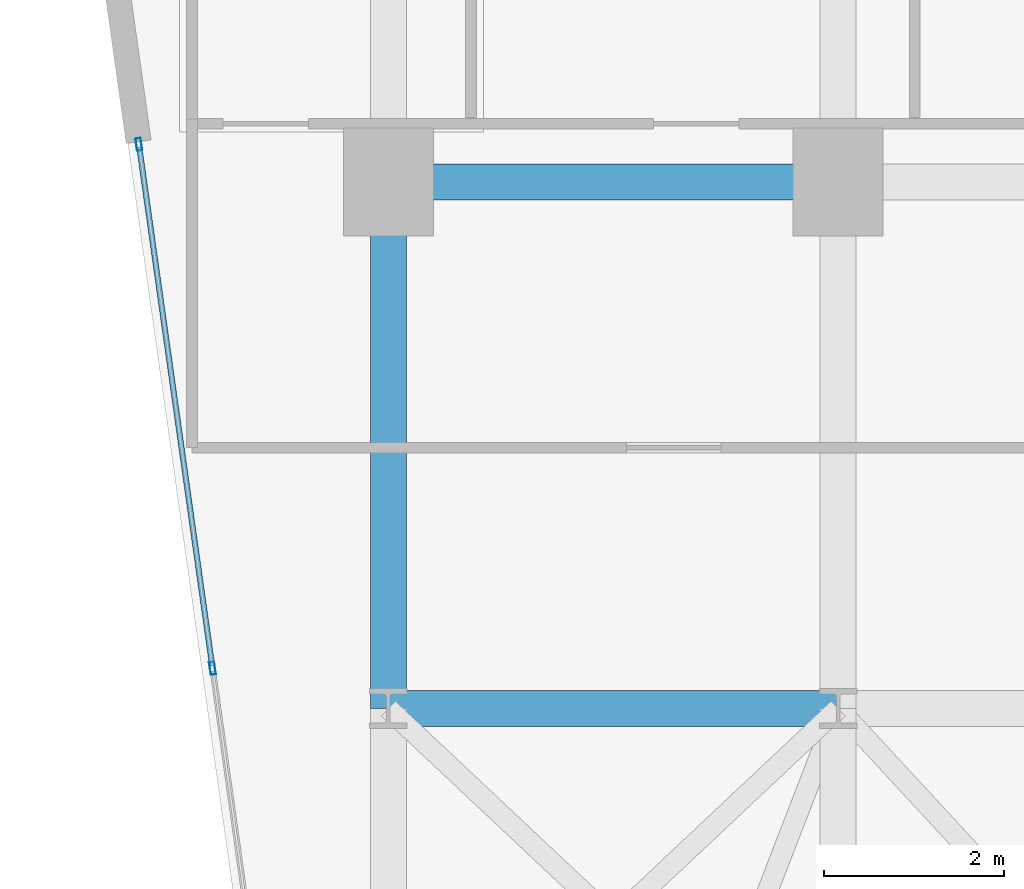
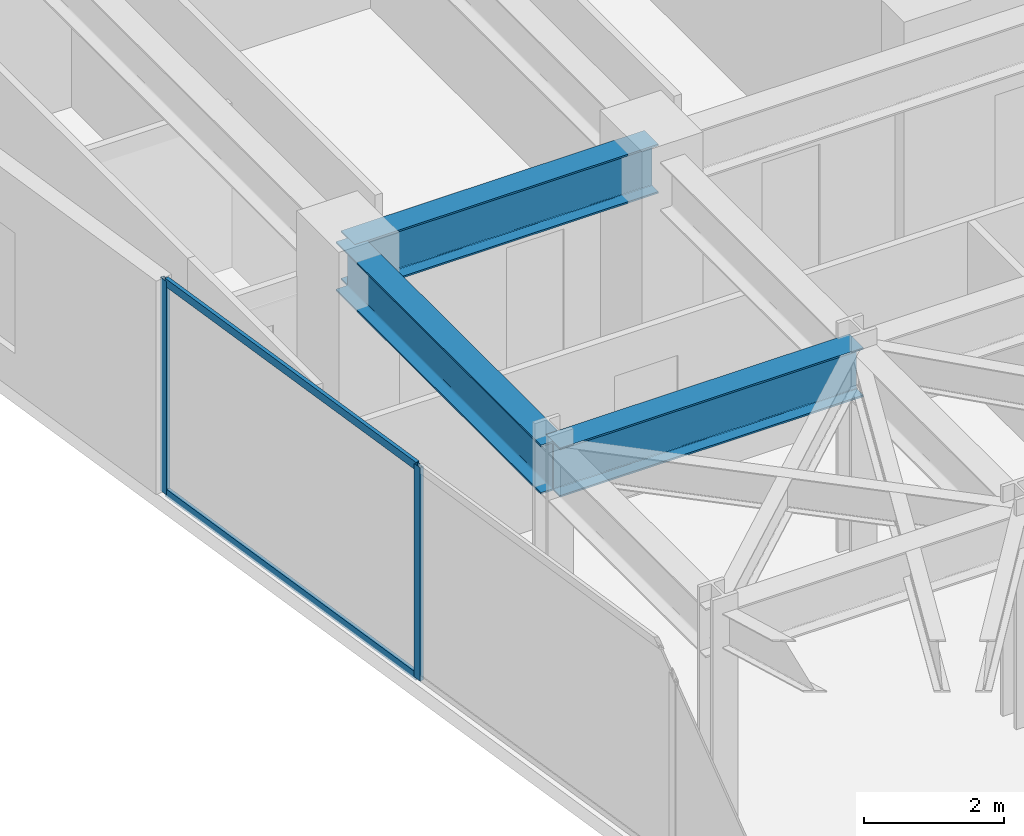
# One storey, part 11 of 26: 4 members, 3 beams, 1 element without a shape of its own.
"""IFC4 building model written with IfcOpenShell, lengths in metres."""

from ifc_helpers import new_model, si_unit, direction, frame, origin, origin_2d, place, context, subcontext, project, spatial, hollow_rectangle, i_section, extrude, material, layer, layer_set, material_profile, profile_set, type_object, element, aggregate, save


model = new_model("IFC4")

# Units and contexts
model_context = context("Model", 3, precision=1e-05, world=origin(), true_north=direction((0.0, 1.0)))
body_context = subcontext(model_context, "Body", "Model", "MODEL_VIEW")
ifc_project = project(units=[si_unit("LENGTHUNIT", "METRE"), si_unit("AREAUNIT", "SQUARE_METRE"), si_unit("VOLUMEUNIT", "CUBIC_METRE"), si_unit("PLANEANGLEUNIT", "RADIAN"), si_unit("MASSUNIT", "GRAM", prefix="KILO")], contexts=[model_context])

# Site, building, storey
site_placement = place(None, origin())
site = spatial("IfcSite", under=ifc_project, at=site_placement, CompositionType="ELEMENT")
building_placement = place(site_placement, origin())
building = spatial("IfcBuilding", under=site, at=building_placement, Name="Kravanh Interchange Tower", CompositionType="ELEMENT")
storey_placement = place(building_placement, frame((0.0, 0.0, 152.0)))
storey = spatial("IfcBuildingStorey", under=building, at=storey_placement, Name="L36", CompositionType="ELEMENT", Elevation=152.0)

# Curtain wall, members
ifc_material_1 = material(Name="Anodised Bronze Aluminium", Category="aluminium")
ifc_layer = layer(ifc_material_1, 0.179931640625)
ifc_layer_set = layer_set([ifc_layer], Name="Unitised Curtain Wall System CW-Z2 Mid Office")
curtain_wall_type = type_object("IfcCurtainWallType", Name="Unitised Curtain Wall System CW-Z2 Mid Office", PredefinedType="NOTDEFINED", material=ifc_layer_set)
curtain_wall_placement = place(storey_placement, origin())
curtain_wall = element("IfcCurtainWall", 1, at=curtain_wall_placement, inside=storey, type_object=curtain_wall_type, Name="L36 Unitised Curtain Wall CW-L36-01", PredefinedType="NOTDEFINED")
ifc_material_2 = material(Name="Anodised Bronze Aluminium", Category="aluminium")
ifc_material_profile_1 = material_profile(ifc_material_2, hollow_rectangle(XDim=0.06005859375, YDim=0.139892578125, WallThickness=0.00390625, at=origin_2d()), Name="ALU60X140X4")
ifc_profile_set_1 = profile_set([ifc_material_profile_1], Name="Anodised Bronze Aluminium")
member_type_1 = type_object("IfcMemberType", Name="Curtain Wall Mullion ALU60X140X4 Bronze", PredefinedType="MULLION", material=ifc_profile_set_1)
member_1_placement = place(storey_placement, frame((11.6474609375, 31.94775390625, 0.0), z_axis=(0.0, 0.0, 1.0), x_axis=(-0.990268103846, -0.13917285118, 0.0)))
member_1 = element("IfcMember", 2, at=member_1_placement, type_object=member_type_1, Name="CW-Z2 mullion 5", PredefinedType="MULLION", context=body_context, shape_type="SweptSolid", body=[
    extrude(hollow_rectangle(XDim=0.06005859375, YDim=0.139892578125, WallThickness=0.00390625, at=origin_2d()), origin(), (0.0, 0.0, 1.0), 3.719970703125),
])
member_2_placement = place(storey_placement, frame((10.8291015625, 37.770263671875, 0.0), z_axis=(0.0, 0.0, 1.0), x_axis=(-0.990268103846, -0.13917285118, 0.0)))
member_2 = element("IfcMember", 3, at=member_2_placement, type_object=member_type_1, Name="CW-Z2 mullion 6", PredefinedType="MULLION", context=body_context, shape_type="SweptSolid", body=[
    extrude(hollow_rectangle(XDim=0.06005859375, YDim=0.139892578125, WallThickness=0.00390625, at=origin_2d()), origin(), (0.0, 0.0, 1.0), 3.719970703125),
])
ifc_material_3 = material(Name="Anodised Bronze Aluminium", Category="aluminium")
ifc_material_profile_2 = material_profile(ifc_material_3, hollow_rectangle(XDim=0.06005859375, YDim=0.139892578125, WallThickness=0.00390625, at=origin_2d()), Name="ALU60X140X4")
ifc_profile_set_2 = profile_set([ifc_material_profile_2], Name="Anodised Bronze Aluminium")
member_type_2 = type_object("IfcMemberType", Name="Curtain Wall Transom ALU60X140X4 Bronze", PredefinedType="USERDEFINED", material=ifc_profile_set_2)
member_3_placement = place(storey_placement, frame((11.643310546875, 31.9775390625, 0.030029296875), z_axis=(-0.139195052528, 0.990264983402, 0.0), x_axis=(-0.990264983402, -0.139195052528, 0.0)))
member_3 = element("IfcMember", 4, at=member_3_placement, type_object=member_type_2, Name="CW-Z2 transom 5.1", ObjectType="TRANSOM", PredefinedType="USERDEFINED", context=body_context, shape_type="SweptSolid", body=[
    extrude(hollow_rectangle(XDim=0.06005859375, YDim=0.139892578125, WallThickness=0.00390625, at=origin_2d()), origin(), (0.0, 0.0, 1.0), 5.819580078125),
])
member_4_placement = place(storey_placement, frame((11.643310546875, 31.9775390625, 3.68994140625), z_axis=(-0.139195052528, 0.990264983402, 0.0), x_axis=(-0.990264983402, -0.139195052528, 0.0)))
member_4 = element("IfcMember", 5, at=member_4_placement, type_object=member_type_2, Name="CW-Z2 transom 5.2", ObjectType="TRANSOM", PredefinedType="USERDEFINED", context=body_context, shape_type="SweptSolid", body=[
    extrude(hollow_rectangle(XDim=0.06005859375, YDim=0.139892578125, WallThickness=0.00390625, at=origin_2d()), origin(), (0.0, 0.0, 1.0), 5.819580078125),
])
aggregate(curtain_wall, [member_1, member_2, member_3, member_4])

# Beams
ifc_material_4 = material(Name="Structural Steel S355", Category="steel")
ifc_material_profile_3 = material_profile(ifc_material_4, i_section(OverallWidth=0.39990234375, OverallDepth=0.85595703125, WebThickness=0.018310546875, FlangeThickness=0.029296875, FilletRadius=0.02490234375, at=origin_2d()), Name="W33X201")
ifc_profile_set_3 = profile_set([ifc_material_profile_3], Name="Structural Steel S355")
beam_type = type_object("IfcBeamType", Name="Floor Beam W33X201 Structural Steel S355", PredefinedType="BEAM", material=ifc_profile_set_3)
beam_1_placement = place(storey_placement, frame((18.60009765625, 37.35009765625, 3.2919921875), z_axis=(-1.0, 0.0, 0.0), x_axis=(0.0, -1.0, 0.0)))
element("IfcBeam", 6, at=beam_1_placement, inside=storey, type_object=beam_type, Name="L36 Primary Floor Girder 28", PredefinedType="BEAM", context=body_context, shape_type="SweptSolid", body=[
    extrude(i_section(OverallWidth=0.39990234375, OverallDepth=0.85595703125, WebThickness=0.018310546875, FlangeThickness=0.029296875, FilletRadius=0.02490234375, at=origin_2d()), origin(), (0.0, 0.0, 1.0), 5.0),
])
beam_2_placement = place(storey_placement, frame((13.60009765625, 37.35009765625, 3.2919921875), z_axis=(0.0, -1.0, 0.0), x_axis=(1.0, 0.0, 0.0)))
element("IfcBeam", 7, at=beam_2_placement, inside=storey, type_object=beam_type, Name="L36 Primary Floor Girder 32", PredefinedType="BEAM", context=body_context, shape_type="SweptSolid", body=[
    extrude(i_section(OverallWidth=0.39990234375, OverallDepth=0.85595703125, WebThickness=0.018310546875, FlangeThickness=0.029296875, FilletRadius=0.02490234375, at=origin_2d()), origin(), (0.0, 0.0, 1.0), 5.85009765625),
])
beam_3_placement = place(storey_placement, frame((13.60009765625, 31.5, 3.2919921875), z_axis=(1.0, 0.0, 0.0), x_axis=(0.0, 1.0, 0.0)))
element("IfcBeam", 8, at=beam_3_placement, inside=storey, type_object=beam_type, Name="L36 Primary Floor Girder 69", PredefinedType="BEAM", context=body_context, shape_type="SweptSolid", body=[
    extrude(i_section(OverallWidth=0.39990234375, OverallDepth=0.85595703125, WebThickness=0.018310546875, FlangeThickness=0.029296875, FilletRadius=0.02490234375, at=origin_2d()), origin(), (0.0, 0.0, 1.0), 5.0),
])

save(model, "model.ifc")
